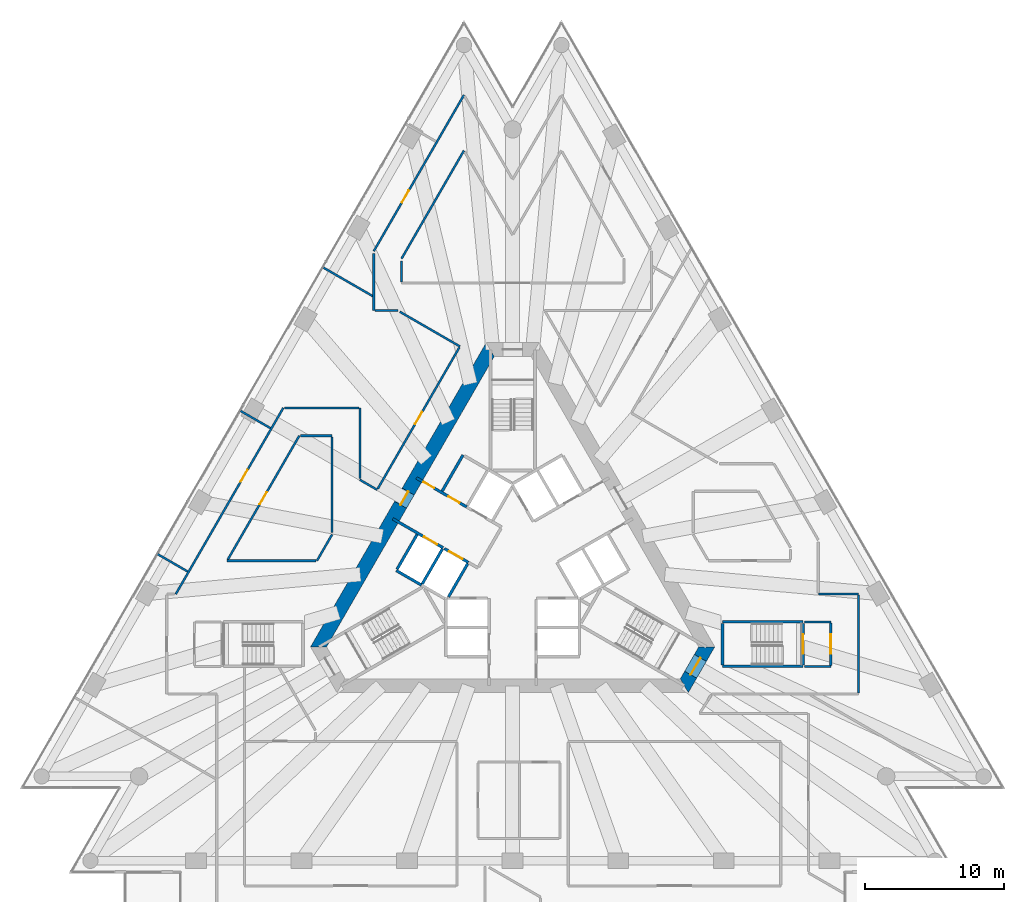
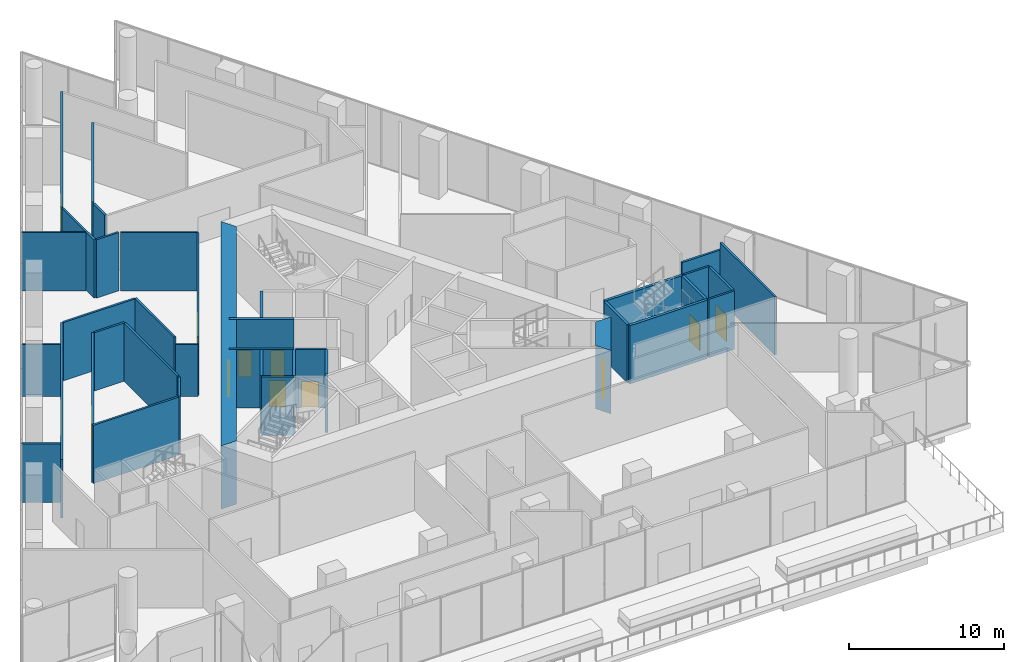
# One storey, part 27 of 32: 38 walls, 12 doors, 12 openings.
"""IFC4 building model written with IfcOpenShell, lengths in metres."""

from ifc_helpers import new_model, si_unit, direction, frame, frame_2d, origin, place, context, subcontext, project, spatial, polyline, rectangle, outline, extrude, material, layer, layer_set, type_object, element, fill, save


model = new_model("IFC4")

# Units and contexts
model_context = context("Model", 3, precision=1e-05, world=origin(), true_north=direction((0.0, 1.0)))
body_context = subcontext(model_context, "Body", "Model", "MODEL_VIEW")
ifc_project = project(units=[si_unit("LENGTHUNIT", "METRE"), si_unit("AREAUNIT", "SQUARE_METRE"), si_unit("VOLUMEUNIT", "CUBIC_METRE"), si_unit("PLANEANGLEUNIT", "RADIAN"), si_unit("MASSUNIT", "GRAM", prefix="KILO")], contexts=[model_context])

# Site, building, storey
site_placement = place(None, origin())
site = spatial("IfcSite", under=ifc_project, at=site_placement, CompositionType="ELEMENT")
building_placement = place(site_placement, origin())
building = spatial("IfcBuilding", under=site, at=building_placement, Name="Triada Interchange Tower", CompositionType="ELEMENT")
storey_placement = place(building_placement, frame((0.0, 0.0, 25.300048828125)))
storey = spatial("IfcBuildingStorey", under=building, at=storey_placement, Name="L04", CompositionType="ELEMENT", Elevation=25.300048828125)

# Walls
ifc_material_1 = material(Name="Concrete C30/37", Category="concrete")
ifc_layer_1 = layer(ifc_material_1, 0.199951171875)
ifc_layer_set_1 = layer_set([ifc_layer_1], Name="CORE WALL 200 EI 120")
wall_type_1 = type_object("IfcWallType", Name="CORE WALL 200 EI 120", PredefinedType="SOLIDWALL", material=ifc_layer_set_1)
wall_1_placement = place(storey_placement, frame((-8.3759765625, -0.70703125, 0.0), z_axis=(0.0, 0.0, 1.0), x_axis=(0.866067520717, -0.499927044236, 0.0)))
element("IfcWall", 1, at=wall_1_placement, inside=storey, type_object=wall_type_1, Name="Wall L04 94", PredefinedType="SOLIDWALL", context=body_context, shape_type="SweptSolid", body=[
    extrude(rectangle(XDim=2.100341796875, YDim=0.199951171875, at=frame_2d((1.05029296875, 0.0))), origin(), (0.0, 0.0, 1.0), 4.599853515625),
])
wall_2_placement = place(storey_placement, frame((-8.325927734375, -0.6201171875, 0.0), z_axis=(0.0, 0.0, 1.0), x_axis=(0.500023687443, 0.866011727401, 0.0)))
element("IfcWall", 2, at=wall_2_placement, inside=storey, type_object=wall_type_1, Name="Wall L04 95", PredefinedType="SOLIDWALL", context=body_context, shape_type="SweptSolid", body=[
    extrude(rectangle(XDim=2.899658203125, YDim=0.199951171875, at=frame_2d((1.44970703125, 0.0))), origin(), (0.0, 0.0, 1.0), 4.599853515625),
])

# Wall, opening, door
ifc_layer_2 = layer(ifc_material_1, 0.199951171875)
ifc_layer_set_2 = layer_set([ifc_layer_2], Name="CORE WALL 200 EI 180")
wall_type_2 = type_object("IfcWallType", Name="CORE WALL 200 EI 180", PredefinedType="SOLIDWALL", material=ifc_layer_set_2)
wall_3_placement = place(storey_placement, frame((-8.626953125, 3.01806640625, 0.0), z_axis=(0.0, 0.0, 1.0), x_axis=(0.866039775641, -0.499975106388, 0.0)))
wall_3 = element("IfcWall", 3, at=wall_3_placement, inside=storey, type_object=wall_type_2, Name="Wall L04 116", PredefinedType="SOLIDWALL", context=body_context, shape_type="SweptSolid", body=[
    extrude(rectangle(XDim=4.182373046875, YDim=0.199951171875, at=frame_2d((2.09130859375, 0.0))), origin(), (0.0, 0.0, 1.0), 4.599853515625),
])
opening_1_placement = place(wall_3_placement, frame((2.580078125, 0.0, 0.0)))
opening_1 = element("IfcOpeningElement", 4, at=opening_1_placement, cuts=wall_3, Name="Opening LD-SV1", PredefinedType="OPENING", context=body_context, shape_type="SweptSolid", body=[
    extrude(rectangle(XDim=1.10009765625, YDim=2.10009765625, at=frame_2d((0.550048828125, 1.050048828125))), frame((0.0, 0.10986328125, 0.0), z_axis=(0.0, -1.0, 0.0), x_axis=(1.0, 0.0, 0.0)), (0.0, 0.0, 1.0), 0.219970703125),
])
ifc_material_2 = material(Name="Steel S235 door leaf", Category="steel")
door_type_1 = type_object("IfcDoorType", Name="LIFT LANDING DOOR 1100 EI 120", OperationType="SLIDING_TO_LEFT", PredefinedType="DOOR", material=ifc_material_2)
door_1_placement = place(opening_1_placement, origin())
door_1 = element("IfcDoor", 5, at=door_1_placement, inside=storey, type_object=door_type_1, Name="SV1 landing door L04", OperationType="SLIDING_TO_LEFT", OverallHeight=2.10009765625, OverallWidth=1.10009765625, PredefinedType="DOOR", context=body_context, shape_type="SweptSolid", body=[
    extrude(rectangle(XDim=1.10009765625, YDim=2.10009765625, at=frame_2d((0.550048828125, 1.050048828125))), frame((0.0, 0.02490234375, 0.0), z_axis=(0.0, -1.0, 0.0), x_axis=(1.0, 0.0, 0.0)), (0.0, 0.0, 1.0), 0.050048828125),
])
fill(opening_1, door_1)

# Wall, openings, doors
wall_4_placement = place(storey_placement, frame((-6.927001953125, 5.9619140625, 0.0), z_axis=(0.0, 0.0, 1.0), x_axis=(0.866065051207, -0.49993132236, 0.0)))
wall_4 = element("IfcWall", 6, at=wall_4_placement, inside=storey, type_object=wall_type_2, Name="Wall L04 118", PredefinedType="SOLIDWALL", context=body_context, shape_type="SweptSolid", body=[
    extrude(rectangle(XDim=4.18212890625, YDim=0.199951171875, at=frame_2d((2.091064453125, 0.0))), origin(), (0.0, 0.0, 1.0), 4.599853515625),
])
opening_2_placement = place(wall_4_placement, frame((2.679931640625, 0.0, 0.0)))
opening_2 = element("IfcOpeningElement", 7, at=opening_2_placement, cuts=wall_4, Name="Opening D04-10", PredefinedType="OPENING", context=body_context, shape_type="SweptSolid", body=[
    extrude(rectangle(XDim=0.89990234375, YDim=2.10009765625, at=frame_2d((0.449951171875, 1.050048828125))), frame((0.0, 0.10986328125, 0.0), z_axis=(0.0, -1.0, 0.0), x_axis=(1.0, 0.0, 0.0)), (0.0, 0.0, 1.0), 0.219970703125),
])
opening_3_placement = place(wall_4_placement, frame((0.580078125, 0.0, 0.0)))
opening_3 = element("IfcOpeningElement", 8, at=opening_3_placement, cuts=wall_4, Name="Opening D04-39", PredefinedType="OPENING", context=body_context, shape_type="SweptSolid", body=[
    extrude(rectangle(XDim=0.89990234375, YDim=2.10009765625, at=frame_2d((0.449951171875, 1.050048828125))), frame((0.0, 0.10986328125, 0.0), z_axis=(0.0, -1.0, 0.0), x_axis=(1.0, 0.0, 0.0)), (0.0, 0.0, 1.0), 0.219970703125),
])
door_type_2 = type_object("IfcDoorType", Name="SERVICE DOOR 900 EI2 45-C5S200", OperationType="NOTDEFINED", PredefinedType="DOOR", material=ifc_material_2)
door_2_placement = place(opening_3_placement, origin())
door_2 = element("IfcDoor", 9, at=door_2_placement, inside=storey, type_object=door_type_2, Name="Door D04-39 L04", OperationType="SINGLE_SWING_LEFT", OverallHeight=2.10009765625, OverallWidth=0.89990234375, PredefinedType="DOOR", context=body_context, shape_type="SweptSolid", body=[
    extrude(rectangle(XDim=0.89990234375, YDim=2.10009765625, at=frame_2d((0.449951171875, 1.050048828125))), frame((0.0, 0.02490234375, 0.0), z_axis=(0.0, -1.0, 0.0), x_axis=(1.0, 0.0, 0.0)), (0.0, 0.0, 1.0), 0.050048828125),
])
fill(opening_3, door_2)
door_type_3 = type_object("IfcDoorType", Name="SERVICE DOOR 900 EI2 90-C5S200", OperationType="NOTDEFINED", PredefinedType="DOOR", material=ifc_material_2)
door_3_placement = place(opening_2_placement, origin())
door_3 = element("IfcDoor", 10, at=door_3_placement, inside=storey, type_object=door_type_3, Name="Door D04-10 L04", OperationType="SINGLE_SWING_LEFT", OverallHeight=2.10009765625, OverallWidth=0.89990234375, PredefinedType="DOOR", context=body_context, shape_type="SweptSolid", body=[
    extrude(rectangle(XDim=0.89990234375, YDim=2.10009765625, at=frame_2d((0.449951171875, 1.050048828125))), frame((0.0, 0.02490234375, 0.0), z_axis=(0.0, -1.0, 0.0), x_axis=(1.0, 0.0, 0.0)), (0.0, 0.0, 1.0), 0.050048828125),
])
fill(opening_2, door_3)

# Walls
wall_5_placement = place(storey_placement, frame((-5.075927734375, 5.009033203125, 0.0), z_axis=(0.0, 0.0, 1.0), x_axis=(0.50002537861, 0.866010750942, 0.0)))
element("IfcWall", 11, at=wall_5_placement, inside=storey, type_object=wall_type_2, Name="Wall L04 120", PredefinedType="SOLIDWALL", context=body_context, shape_type="SweptSolid", body=[
    extrude(rectangle(XDim=2.999755859375, YDim=0.199951171875, at=frame_2d((1.5, 0.0))), origin(), (0.0, 0.0, 1.0), 4.599853515625),
])
wall_6_placement = place(storey_placement, frame((-6.507080078125, -1.669921875, 0.0), z_axis=(0.0, 0.0, 1.0), x_axis=(0.50012328804, 0.865954211699, 0.0)))
element("IfcWall", 12, at=wall_6_placement, inside=storey, type_object=wall_type_2, Name="Shaft wall FF1 L04 124", PredefinedType="SOLIDWALL", context=body_context, shape_type="SweptSolid", body=[
    extrude(rectangle(XDim=2.899658203125, YDim=0.199951171875, at=frame_2d((1.44970703125, 0.0))), origin(), (0.0, 0.0, 1.0), 4.599853515625),
])

# Wall, opening, door
wall_7_placement = place(storey_placement, frame((-4.919921875, 0.8779296875, 0.0), z_axis=(0.0, 0.0, 1.0), x_axis=(0.866010750942, -0.50002537861, 0.0)))
wall_7 = element("IfcWall", 13, at=wall_7_placement, inside=storey, type_object=wall_type_2, Name="Shaft wall FF1 L04 125", PredefinedType="SOLIDWALL", context=body_context, shape_type="SweptSolid", body=[
    extrude(rectangle(XDim=2.0, YDim=0.199951171875, at=frame_2d((1.0, 0.0))), origin(), (0.0, 0.0, 1.0), 4.599853515625),
])
opening_4_placement = place(wall_7_placement, frame((0.39990234375, 0.0, 0.0)))
opening_4 = element("IfcOpeningElement", 14, at=opening_4_placement, cuts=wall_7, Name="Opening LD-FF1", PredefinedType="OPENING", context=body_context, shape_type="SweptSolid", body=[
    extrude(rectangle(XDim=1.10009765625, YDim=2.10009765625, at=frame_2d((0.550048828125, 1.050048828125))), frame((0.0, 0.10986328125, 0.0), z_axis=(0.0, -1.0, 0.0), x_axis=(1.0, 0.0, 0.0)), (0.0, 0.0, 1.0), 0.219970703125),
])
door_4_placement = place(opening_4_placement, origin())
door_4 = element("IfcDoor", 15, at=door_4_placement, inside=storey, type_object=door_type_1, Name="FF1 landing door L04", OperationType="SLIDING_TO_LEFT", OverallHeight=2.10009765625, OverallWidth=1.10009765625, PredefinedType="DOOR", context=body_context, shape_type="SweptSolid", body=[
    extrude(rectangle(XDim=1.10009765625, YDim=2.10009765625, at=frame_2d((0.550048828125, 1.050048828125))), frame((0.0, 0.02490234375, 0.0), z_axis=(0.0, -1.0, 0.0), x_axis=(1.0, 0.0, 0.0)), (0.0, 0.0, 1.0), 0.050048828125),
])
fill(opening_4, door_4)

# Walls
wall_8_placement = place(storey_placement, frame((-4.618896484375, -2.60009765625, 0.0), z_axis=(0.0, 0.0, 1.0), x_axis=(0.50009492287, 0.865970593103, 0.0)))
element("IfcWall", 16, at=wall_8_placement, inside=storey, type_object=wall_type_2, Name="Shaft wall FF1 L04 126", PredefinedType="SOLIDWALL", context=body_context, shape_type="SweptSolid", body=[
    extrude(rectangle(XDim=2.76123046875, YDim=0.199951171875, at=frame_2d((1.380615234375, 0.0))), origin(), (0.0, 0.0, 1.0), 4.599853515625),
])
ifc_layer_3 = layer(ifc_material_1, 0.199951171875)
ifc_layer_set_3 = layer_set([ifc_layer_3], Name="CORE WALL 200 REI 240")
wall_type_3 = type_object("IfcWallType", Name="CORE WALL 200 REI 240", PredefinedType="SOLIDWALL", material=ifc_layer_set_3)
wall_9_placement = place(storey_placement, frame((15.10009765625, -4.39990234375, 0.0), z_axis=(0.0, 0.0, 1.0), x_axis=(1.0, 0.0, 0.0)))
element("IfcWall", 17, at=wall_9_placement, inside=storey, type_object=wall_type_3, Name="Wall L04 143", PredefinedType="SOLIDWALL", context=body_context, shape_type="SweptSolid", body=[
    extrude(rectangle(XDim=5.7998046875, YDim=0.199951171875, at=frame_2d((2.89990234375, 0.0))), origin(), (0.0, 0.0, 1.0), 4.599853515625),
])
wall_10_placement = place(storey_placement, frame((15.10009765625, -7.60009765625, 0.0), z_axis=(0.0, 0.0, 1.0), x_axis=(1.0, 0.0, 0.0)))
element("IfcWall", 18, at=wall_10_placement, inside=storey, type_object=wall_type_3, Name="Wall L04 146", PredefinedType="SOLIDWALL", context=body_context, shape_type="SweptSolid", body=[
    extrude(rectangle(XDim=5.7978515625, YDim=0.199951171875, at=frame_2d((2.89892578125, 0.0))), origin(), (0.0, 0.0, 1.0), 4.599853515625),
])
wall_11_placement = place(storey_placement, frame((15.10009765625, -7.5, 0.0), z_axis=(0.0, 0.0, 1.0), x_axis=(0.0, 1.0, 0.0)))
element("IfcWall", 19, at=wall_11_placement, inside=storey, type_object=wall_type_3, Name="Wall L04 147", PredefinedType="SOLIDWALL", context=body_context, shape_type="SweptSolid", body=[
    extrude(rectangle(XDim=3.0, YDim=0.199951171875, at=frame_2d((1.5, 0.0))), origin(), (0.0, 0.0, 1.0), 4.599853515625),
])

# Wall, opening, door
wall_12_placement = place(storey_placement, frame((20.89990234375, -7.5, 0.0), z_axis=(0.0, 0.0, 1.0), x_axis=(0.0, 1.0, 0.0)))
wall_12 = element("IfcWall", 20, at=wall_12_placement, inside=storey, type_object=wall_type_3, Name="Wall L04 148", PredefinedType="SOLIDWALL", context=body_context, shape_type="SweptSolid", body=[
    extrude(rectangle(XDim=3.0, YDim=0.199951171875, at=frame_2d((1.5, 0.0))), origin(), (0.0, 0.0, 1.0), 4.599853515625),
])
opening_5_placement = place(wall_12_placement, frame((0.800048828125, 0.0, 0.0)))
opening_5 = element("IfcOpeningElement", 21, at=opening_5_placement, cuts=wall_12, Name="Opening D04-13", PredefinedType="OPENING", context=body_context, shape_type="SweptSolid", body=[
    extrude(rectangle(XDim=1.39990234375, YDim=2.10009765625, at=frame_2d((0.699951171875, 1.050048828125))), frame((0.0, 0.10986328125, 0.0), z_axis=(0.0, -1.0, 0.0), x_axis=(1.0, 0.0, 0.0)), (0.0, 0.0, 1.0), 0.219970703125),
])
door_type_4 = type_object("IfcDoorType", Name="STAIR DOOR 1400 EI2 90-C5S200", OperationType="DOUBLE_DOOR_SINGLE_SWING", PredefinedType="DOOR", material=ifc_material_2)
door_5_placement = place(opening_5_placement, origin())
door_5 = element("IfcDoor", 22, at=door_5_placement, inside=storey, type_object=door_type_4, Name="Door D04-13 L04", OperationType="DOUBLE_DOOR_SINGLE_SWING", OverallHeight=2.10009765625, OverallWidth=1.39990234375, PredefinedType="DOOR", context=body_context, shape_type="SweptSolid", body=[
    extrude(rectangle(XDim=1.39990234375, YDim=2.10009765625, at=frame_2d((0.699951171875, 1.050048828125))), frame((0.0, 0.02490234375, 0.0), z_axis=(0.0, -1.0, 0.0), x_axis=(1.0, 0.0, 0.0)), (0.0, 0.0, 1.0), 0.050048828125),
])
fill(opening_5, door_5)

ifc_material_3 = material(Name="Concrete C70/85", Category="concrete")
ifc_layer_4 = layer(ifc_material_3, 1.0)
ifc_layer_set_4 = layer_set([ifc_layer_4], Name="Core wall P 1000")
wall_type_4 = type_object("IfcWallType", Name="Core wall P 1000", PredefinedType="SHEAR", material=ifc_layer_set_4)
wall_13_placement = place(storey_placement, frame((-1.616943359375, 15.199951171875, -0.400146484375), z_axis=(0.0, 0.0, 1.0), x_axis=(-0.499992141631, -0.866029940768, 0.0)))
wall_13 = element("IfcWall", 23, at=wall_13_placement, inside=storey, type_object=wall_type_4, Name="Core wall WP02 L04", PredefinedType="SHEAR", context=body_context, shape_type="SweptSolid", body=[
    extrude(outline(polyline([(-0.2890625, -0.4990234375), (1.65625, -0.4990234375), (3.601318359375, -0.499267578125), (5.546630859375, -0.499267578125), (7.491943359375, -0.499267578125), (9.43701171875, -0.49951171875), (11.38232421875, -0.49951171875), (13.32763671875, -0.49951171875), (15.27294921875, -0.49951171875), (17.218017578125, -0.499755859375), (19.163330078125, -0.499755859375), (21.108642578125, -0.499755859375), (23.0537109375, -0.5), (24.9990234375, -0.5), (24.422119140625, 0.5), (22.565673828125, 0.5), (20.709228515625, 0.5), (18.85302734375, 0.5), (16.99658203125, 0.5), (15.14013671875, 0.5), (13.28369140625, 0.5), (11.427490234375, 0.5), (9.571044921875, 0.5), (7.714599609375, 0.5), (5.858154296875, 0.5), (4.001953125, 0.5), (2.1455078125, 0.5), (0.2890625, 0.5), (-0.2890625, -0.4990234375)])), origin(), (0.0, 0.0, 1.0), 5.0),
])
opening_6_placement = place(wall_13_placement, frame((11.804931640625, 0.0, 0.39990234375)))
opening_6 = element("IfcOpeningElement", 24, at=opening_6_placement, cuts=wall_13, Name="Opening D04-37", PredefinedType="OPENING", context=body_context, shape_type="SweptSolid", body=[
    extrude(rectangle(XDim=1.10009765625, YDim=2.10009765625, at=frame_2d((0.550048828125, 1.050048828125))), frame((0.0, 0.510009765625, 0.0), z_axis=(0.0, -1.0, 0.0), x_axis=(1.0, 0.0, 0.0)), (0.0, 0.0, 1.0), 1.02001953125),
])
door_type_5 = type_object("IfcDoorType", Name="FIRE LOBBY DOOR 1100 EI2 90-C5S200", OperationType="NOTDEFINED", PredefinedType="DOOR", material=ifc_material_2)
door_6_placement = place(opening_6_placement, origin())
door_6 = element("IfcDoor", 25, at=door_6_placement, inside=storey, type_object=door_type_5, Name="Door D04-37 L04", OperationType="SINGLE_SWING_LEFT", OverallHeight=2.10009765625, OverallWidth=1.10009765625, PredefinedType="DOOR", context=body_context, shape_type="SweptSolid", body=[
    extrude(rectangle(XDim=1.10009765625, YDim=2.10009765625, at=frame_2d((0.550048828125, 1.050048828125))), frame((0.0, 0.02490234375, 0.0), z_axis=(0.0, -1.0, 0.0), x_axis=(1.0, 0.0, 0.0)), (0.0, 0.0, 1.0), 0.050048828125),
])
fill(opening_6, door_6)

wall_14_placement = place(storey_placement, frame((12.35498046875, -9.0, -0.400146484375), z_axis=(0.0, 0.0, 1.0), x_axis=(0.500077567175, 0.865980615723, 0.0)))
wall_14 = element("IfcWall", 26, at=wall_14_placement, inside=storey, type_object=wall_type_4, Name="Core wall WP05 L04", PredefinedType="SHEAR", context=body_context, shape_type="SweptSolid", body=[
    extrude(outline(polyline([(-0.2880859375, -0.5), (1.616943359375, -0.5), (3.52197265625, -0.5), (2.945068359375, 0.5), (1.6171875, 0.49951171875), (0.2890625, 0.4990234375), (-0.2880859375, -0.5)])), origin(), (0.0, 0.0, 1.0), 5.0),
])
opening_7_placement = place(wall_14_placement, frame((0.9169921875, 0.0, 0.39990234375)))
opening_7 = element("IfcOpeningElement", 27, at=opening_7_placement, cuts=wall_14, Name="Opening D04-36", PredefinedType="OPENING", context=body_context, shape_type="SweptSolid", body=[
    extrude(rectangle(XDim=1.39990234375, YDim=2.10009765625, at=frame_2d((0.699951171875, 1.050048828125))), frame((0.0, 0.510009765625, 0.0), z_axis=(0.0, -1.0, 0.0), x_axis=(1.0, 0.0, 0.0)), (0.0, 0.0, 1.0), 1.02001953125),
])
door_7_placement = place(opening_7_placement, origin())
door_7 = element("IfcDoor", 28, at=door_7_placement, inside=storey, type_object=door_type_4, Name="Door D04-36 L04", OperationType="DOUBLE_DOOR_SINGLE_SWING", OverallHeight=2.10009765625, OverallWidth=1.39990234375, PredefinedType="DOOR", context=body_context, shape_type="SweptSolid", body=[
    extrude(rectangle(XDim=1.39990234375, YDim=2.10009765625, at=frame_2d((0.699951171875, 1.050048828125))), frame((0.0, 0.02490234375, 0.0), z_axis=(0.0, -1.0, 0.0), x_axis=(1.0, 0.0, 0.0)), (0.0, 0.0, 1.0), 0.050048828125),
])
fill(opening_7, door_7)

# Walls
ifc_material_4 = material(Name="Gypsum board partition")
ifc_layer_5 = layer(ifc_material_4, 0.14990234375)
ifc_layer_set_5 = layer_set([ifc_layer_5], Name="PARTITION 150")
wall_type_5 = type_object("IfcWallType", Name="PARTITION 150", PredefinedType="PARTITIONING", material=ifc_layer_set_5)
wall_15_placement = place(storey_placement, frame((-25.5830078125, 0.488037109375, 0.0), z_axis=(0.0, 0.0, 1.0), x_axis=(0.866050293573, -0.499956887143, 0.0)))
element("IfcWall", 29, at=wall_15_placement, inside=storey, type_object=wall_type_5, Name="Wall L04 12", PredefinedType="PARTITIONING", context=body_context, shape_type="SweptSolid", body=[
    extrude(rectangle(XDim=2.524169921875, YDim=0.14990234375, at=frame_2d((1.26220703125, 0.0))), origin(), (0.0, 0.0, 1.0), 4.599853515625),
])
wall_16_placement = place(storey_placement, frame((-19.6259765625, 10.806884765625, 0.0), z_axis=(0.0, 0.0, 1.0), x_axis=(0.865979509711, -0.500079482444, 0.0)))
element("IfcWall", 30, at=wall_16_placement, inside=storey, type_object=wall_type_5, Name="Wall L04 26", PredefinedType="PARTITIONING", context=body_context, shape_type="SweptSolid", body=[
    extrude(rectangle(XDim=2.525390625, YDim=0.14990234375, at=frame_2d((1.2626953125, 0.0))), origin(), (0.0, 0.0, 1.0), 4.099853515625),
])
ifc_layer_6 = layer(ifc_material_4, 0.14990234375)
ifc_layer_set_6 = layer_set([ifc_layer_6], Name="PARTITION 150 EI 180")
wall_type_6 = type_object("IfcWallType", Name="PARTITION 150 EI 180", PredefinedType="PARTITIONING", material=ifc_layer_set_6)
for number, where, z_axis, x_axis, name in (
    (31, (21.0, -7.60009765625, 0.0), (0.0, 0.0, 1.0), (1.0, 0.0, 0.0), "Wall L04 2"),
    (32, (21.0, -4.39990234375, 0.0), (0.0, 0.0, 1.0), (1.0, 0.0, 0.0), "Wall L04 5"),
):
    element("IfcWall", number, at=place(storey_placement, frame(where, z_axis=z_axis, x_axis=x_axis)), inside=storey, type_object=wall_type_6, Name=name, PredefinedType="PARTITIONING", context=body_context, shape_type="SweptSolid", body=[
        extrude(rectangle(XDim=1.89990234375, YDim=0.14990234375, at=frame_2d((0.949951171875, 0.0))), origin(), (0.0, 0.0, 1.0), 4.599853515625),
    ])

# Wall, opening, door
wall_17_placement = place(storey_placement, frame((22.89990234375, -7.52490234375, 0.0), z_axis=(0.0, 0.0, 1.0), x_axis=(0.0, 1.0, 0.0)))
wall_17 = element("IfcWall", 33, at=wall_17_placement, inside=storey, type_object=wall_type_6, Name="Wall L04 10", PredefinedType="PARTITIONING", context=body_context, shape_type="SweptSolid", body=[
    extrude(rectangle(XDim=3.0498046875, YDim=0.14990234375, at=frame_2d((1.52490234375, 0.0))), origin(), (0.0, 0.0, 1.0), 4.599853515625),
])
opening_8_placement = place(wall_17_placement, frame((0.824951171875, 0.0, 0.0)))
opening_8 = element("IfcOpeningElement", 34, at=opening_8_placement, cuts=wall_17, Name="Opening D04-14", PredefinedType="OPENING", context=body_context, shape_type="SweptSolid", body=[
    extrude(rectangle(XDim=1.39990234375, YDim=2.10009765625, at=frame_2d((0.699951171875, 1.050048828125))), frame((0.0, 0.0849609375, 0.0), z_axis=(0.0, -1.0, 0.0), x_axis=(1.0, 0.0, 0.0)), (0.0, 0.0, 1.0), 0.169921875),
])
door_8_placement = place(opening_8_placement, origin())
door_8 = element("IfcDoor", 35, at=door_8_placement, inside=storey, type_object=door_type_4, Name="Door D04-14 L04", OperationType="DOUBLE_DOOR_SINGLE_SWING", OverallHeight=2.10009765625, OverallWidth=1.39990234375, PredefinedType="DOOR", context=body_context, shape_type="SweptSolid", body=[
    extrude(rectangle(XDim=1.39990234375, YDim=2.10009765625, at=frame_2d((0.699951171875, 1.050048828125))), frame((0.0, 0.02490234375, 0.0), z_axis=(0.0, -1.0, 0.0), x_axis=(1.0, 0.0, 0.0)), (0.0, 0.0, 1.0), 0.050048828125),
])
fill(opening_8, door_8)

ifc_layer_7 = layer(ifc_material_4, 0.14990234375)
ifc_layer_set_7 = layer_set([ifc_layer_7], Name="PARTITION 150 EI 90")
wall_type_7 = type_object("IfcWallType", Name="PARTITION 150 EI 90", PredefinedType="PARTITIONING", material=ifc_layer_set_7)
wall_18_placement = place(storey_placement, frame((-24.2490234375, -2.39990234375, 0.0), z_axis=(0.0, 0.0, 1.0), x_axis=(0.500030212684, 0.86600795978, 0.0)))
wall_18 = element("IfcWall", 36, at=wall_18_placement, inside=storey, type_object=wall_type_7, Name="Wall L04 13", PredefinedType="PARTITIONING", context=body_context, shape_type="SweptSolid", body=[
    extrude(rectangle(XDim=15.47314453125, YDim=0.14990234375, at=frame_2d((7.736572265625, 0.0))), origin(), (0.0, 0.0, 1.0), 4.599853515625),
])
opening_9_placement = place(wall_18_placement, frame((9.333984375, 0.0, 0.0)))
opening_9 = element("IfcOpeningElement", 37, at=opening_9_placement, cuts=wall_18, Name="Opening D04-25", PredefinedType="OPENING", context=body_context, shape_type="SweptSolid", body=[
    extrude(rectangle(XDim=1.0, YDim=2.10009765625, at=frame_2d((0.5, 1.050048828125))), frame((0.0, 0.0849609375, 0.0), z_axis=(0.0, -1.0, 0.0), x_axis=(1.0, 0.0, 0.0)), (0.0, 0.0, 1.0), 0.169921875),
])
door_type_6 = type_object("IfcDoorType", Name="ROOM DOOR 1000 EI2 45-C5S200", OperationType="NOTDEFINED", PredefinedType="DOOR", material=ifc_material_2)
door_9_placement = place(opening_9_placement, origin())
door_9 = element("IfcDoor", 38, at=door_9_placement, inside=storey, type_object=door_type_6, Name="Door D04-25 L04", OperationType="SINGLE_SWING_LEFT", OverallHeight=2.10009765625, OverallWidth=1.0, PredefinedType="DOOR", context=body_context, shape_type="SweptSolid", body=[
    extrude(rectangle(XDim=1.0, YDim=2.10009765625, at=frame_2d((0.5, 1.050048828125))), frame((0.0, 0.02490234375, 0.0), z_axis=(0.0, -1.0, 0.0), x_axis=(1.0, 0.0, 0.0)), (0.0, 0.0, 1.0), 0.050048828125),
])
fill(opening_9, door_9)

wall_19_placement = place(storey_placement, frame((-10.0, 22.279052734375, 0.0), z_axis=(0.0, 0.0, 1.0), x_axis=(0.50000725545, 0.866021214808, 0.0)))
wall_19 = element("IfcWall", 39, at=wall_19_placement, inside=storey, type_object=wall_type_7, Name="Wall L04 14", PredefinedType="PARTITIONING", context=body_context, shape_type="SweptSolid", body=[
    extrude(rectangle(XDim=12.985595703125, YDim=0.14990234375, at=frame_2d((6.49267578125, 0.0))), origin(), (0.0, 0.0, 1.0), 4.599853515625),
])
opening_10_placement = place(wall_19_placement, frame((4.041015625, 0.0, 0.0)))
opening_10 = element("IfcOpeningElement", 40, at=opening_10_placement, cuts=wall_19, Name="Opening D04-28", PredefinedType="OPENING", context=body_context, shape_type="SweptSolid", body=[
    extrude(rectangle(XDim=1.0, YDim=2.10009765625, at=frame_2d((0.5, 1.050048828125))), frame((0.0, 0.0849609375, 0.0), z_axis=(0.0, -1.0, 0.0), x_axis=(1.0, 0.0, 0.0)), (0.0, 0.0, 1.0), 0.169921875),
])
door_type_7 = type_object("IfcDoorType", Name="ROOM DOOR 1000 EI2 90-C5S200", OperationType="NOTDEFINED", PredefinedType="DOOR", material=ifc_material_2)
door_10_placement = place(opening_10_placement, origin())
door_10 = element("IfcDoor", 41, at=door_10_placement, inside=storey, type_object=door_type_7, Name="Door D04-28 L04", OperationType="SINGLE_SWING_LEFT", OverallHeight=2.10009765625, OverallWidth=1.0, PredefinedType="DOOR", context=body_context, shape_type="SweptSolid", body=[
    extrude(rectangle(XDim=1.0, YDim=2.10009765625, at=frame_2d((0.5, 1.050048828125))), frame((0.0, 0.02490234375, 0.0), z_axis=(0.0, -1.0, 0.0), x_axis=(1.0, 0.0, 0.0)), (0.0, 0.0, 1.0), 0.050048828125),
])
fill(opening_10, door_10)

# Walls
wall_20_placement = place(storey_placement, frame((22.0, -2.39990234375, 0.0), z_axis=(0.0, 0.0, 1.0), x_axis=(1.0, 0.0, 0.0)))
element("IfcWall", 42, at=wall_20_placement, inside=storey, type_object=wall_type_7, Name="Wall L04 16", PredefinedType="PARTITIONING", context=body_context, shape_type="SweptSolid", body=[
    extrude(rectangle(XDim=2.89990234375, YDim=0.14990234375, at=frame_2d((1.449951171875, 0.0))), origin(), (0.0, 0.0, 1.0), 4.0),
])
wall_21_placement = place(storey_placement, frame((-11.0, 5.825927734375, 0.0), z_axis=(0.0, 0.0, 1.0), x_axis=(0.866326729571, -0.49947772486, 0.0)))
element("IfcWall", 43, at=wall_21_placement, inside=storey, type_object=wall_type_7, Name="Wall L04 27", PredefinedType="PARTITIONING", context=body_context, shape_type="SweptSolid", body=[
    extrude(rectangle(XDim=1.439453125, YDim=0.14990234375, at=frame_2d((0.7197265625, 0.0))), origin(), (0.0, 0.0, 1.0), 4.099853515625),
])
wall_22_placement = place(storey_placement, frame((-10.0, 18.0, 0.0), z_axis=(0.0, 0.0, 1.0), x_axis=(0.0, 1.0, 0.0)))
element("IfcWall", 44, at=wall_22_placement, inside=storey, type_object=wall_type_7, Name="Wall L04 34", PredefinedType="PARTITIONING", context=body_context, shape_type="SweptSolid", body=[
    extrude(rectangle(XDim=4.12890625, YDim=0.14990234375, at=frame_2d((2.064453125, 0.0))), origin(), (0.0, 0.0, 1.0), 4.599853515625),
])
wall_23_placement = place(storey_placement, frame((-9.925048828125, 18.0, 0.0), z_axis=(0.0, 0.0, 1.0), x_axis=(1.0, 0.0, 0.0)))
element("IfcWall", 45, at=wall_23_placement, inside=storey, type_object=wall_type_7, Name="Wall L04 35", PredefinedType="PARTITIONING", context=body_context, shape_type="SweptSolid", body=[
    extrude(rectangle(XDim=1.6689453125, YDim=0.14990234375, at=frame_2d((0.83447265625, 0.0))), origin(), (0.0, 0.0, 1.0), 4.599853515625),
])
wall_24_placement = place(storey_placement, frame((-13.66796875, 21.125, 0.0), z_axis=(0.0, 0.0, 1.0), x_axis=(0.865970972971, -0.500094265086, 0.0)))
element("IfcWall", 46, at=wall_24_placement, inside=storey, type_object=wall_type_7, Name="Wall L04 37", PredefinedType="PARTITIONING", context=body_context, shape_type="SweptSolid", body=[
    extrude(rectangle(XDim=4.149169921875, YDim=0.14990234375, at=frame_2d((2.07470703125, 0.0))), origin(), (0.0, 0.0, 1.0), 4.599853515625),
])
wall_25_placement = place(storey_placement, frame((-8.1259765625, 17.925048828125, 0.0), z_axis=(0.0, 0.0, 1.0), x_axis=(0.866022959057, -0.500004234368, 0.0)))
element("IfcWall", 47, at=wall_25_placement, inside=storey, type_object=wall_type_7, Name="Wall L04 38", PredefinedType="PARTITIONING", context=body_context, shape_type="SweptSolid", body=[
    extrude(rectangle(XDim=5.0, YDim=0.14990234375, at=frame_2d((2.5, 0.0))), origin(), (0.0, 0.0, 1.0), 4.599853515625),
])

# Wall, opening, door
wall_26_placement = place(storey_placement, frame((-9.716064453125, 5.172119140625, 0.0), z_axis=(0.0, 0.0, 1.0), x_axis=(0.500064951837, 0.865987900576, 0.0)))
wall_26 = element("IfcWall", 48, at=wall_26_placement, inside=storey, type_object=wall_type_7, Name="Wall L04 39", PredefinedType="PARTITIONING", context=body_context, shape_type="SweptSolid", body=[
    extrude(rectangle(XDim=11.7646484375, YDim=0.14990234375, at=frame_2d((5.88232421875, 0.0))), origin(), (0.0, 0.0, 1.0), 4.599853515625),
])
opening_11_placement = place(wall_26_placement, frame((5.382080078125, 0.0, 0.0)))
opening_11 = element("IfcOpeningElement", 49, at=opening_11_placement, cuts=wall_26, Name="Opening D04-26", PredefinedType="OPENING", context=body_context, shape_type="SweptSolid", body=[
    extrude(rectangle(XDim=1.0, YDim=2.10009765625, at=frame_2d((0.5, 1.050048828125))), frame((0.0, 0.0849609375, 0.0), z_axis=(0.0, -1.0, 0.0), x_axis=(1.0, 0.0, 0.0)), (0.0, 0.0, 1.0), 0.169921875),
])
door_11_placement = place(opening_11_placement, origin())
door_11 = element("IfcDoor", 50, at=door_11_placement, inside=storey, type_object=door_type_7, Name="Door D04-26 L04", OperationType="SINGLE_SWING_RIGHT", OverallHeight=2.10009765625, OverallWidth=1.0, PredefinedType="DOOR", context=body_context, shape_type="SweptSolid", body=[
    extrude(rectangle(XDim=1.0, YDim=2.10009765625, at=frame_2d((0.5, 1.050048828125))), frame((0.0, 0.02490234375, 0.0), z_axis=(0.0, -1.0, 0.0), x_axis=(1.0, 0.0, 0.0)), (0.0, 0.0, 1.0), 0.050048828125),
])
fill(opening_11, door_11)

# Walls
wall_27_placement = place(storey_placement, frame((-11.0, 5.9130859375, 0.0), z_axis=(0.0, 0.0, 1.0), x_axis=(0.0, 1.0, 0.0)))
element("IfcWall", 51, at=wall_27_placement, inside=storey, type_object=wall_type_7, Name="Wall L04 40", PredefinedType="PARTITIONING", context=body_context, shape_type="SweptSolid", body=[
    extrude(rectangle(XDim=5.0869140625, YDim=0.14990234375, at=frame_2d((2.54345703125, 0.0))), origin(), (0.0, 0.0, 1.0), 4.599853515625),
])
wall_28_placement = place(storey_placement, frame((-16.426025390625, 11.0, 0.0), z_axis=(0.0, 0.0, 1.0), x_axis=(1.0, 0.0, 0.0)))
element("IfcWall", 52, at=wall_28_placement, inside=storey, type_object=wall_type_7, Name="Wall L04 41", PredefinedType="PARTITIONING", context=body_context, shape_type="SweptSolid", body=[
    extrude(rectangle(XDim=5.35107421875, YDim=0.14990234375, at=frame_2d((2.675537109375, 0.0))), origin(), (0.0, 0.0, 1.0), 4.599853515625),
])
wall_29_placement = place(storey_placement, frame((24.89990234375, -9.52490234375, 0.0), z_axis=(0.0, 0.0, 1.0), x_axis=(0.0, 1.0, 0.0)))
element("IfcWall", 53, at=wall_29_placement, inside=storey, type_object=wall_type_7, Name="Wall L04 62", PredefinedType="PARTITIONING", context=body_context, shape_type="SweptSolid", body=[
    extrude(rectangle(XDim=7.0498046875, YDim=0.14990234375, at=frame_2d((3.52490234375, 0.0))), origin(), (0.0, 0.0, 1.0), 4.599853515625),
])
wall_30_placement = place(storey_placement, frame((-14.0869140625, 0.0, 0.0), z_axis=(0.0, 0.0, 1.0), x_axis=(0.499907138174, 0.866079010947, 0.0)))
element("IfcWall", 54, at=wall_30_placement, inside=storey, type_object=wall_type_7, Name="Wall L04 74", PredefinedType="PARTITIONING", context=body_context, shape_type="SweptSolid", body=[
    extrude(rectangle(XDim=2.17431640625, YDim=0.14990234375, at=frame_2d((1.087158203125, 0.0))), origin(), (0.0, 0.0, 1.0), 4.599853515625),
])
wall_31_placement = place(storey_placement, frame((-20.553955078125, 0.0, 0.0), z_axis=(0.0, 0.0, 1.0), x_axis=(1.0, 0.0, 0.0)))
element("IfcWall", 55, at=wall_31_placement, inside=storey, type_object=wall_type_7, Name="Wall L04 75", PredefinedType="PARTITIONING", context=body_context, shape_type="SweptSolid", body=[
    extrude(rectangle(XDim=6.3798828125, YDim=0.14990234375, at=frame_2d((3.18994140625, 0.0))), origin(), (0.0, 0.0, 1.0), 4.599853515625),
])

# Wall, opening, door
wall_32_placement = place(storey_placement, frame((-20.510009765625, 0.074951171875, 0.0), z_axis=(0.0, 0.0, 1.0), x_axis=(0.500014323953, 0.866017133688, 0.0)))
wall_32 = element("IfcWall", 56, at=wall_32_placement, inside=storey, type_object=wall_type_7, Name="Wall L04 77", PredefinedType="PARTITIONING", context=body_context, shape_type="SweptSolid", body=[
    extrude(rectangle(XDim=10.305908203125, YDim=0.14990234375, at=frame_2d((5.15283203125, 0.0))), origin(), (0.0, 0.0, 1.0), 4.599853515625),
])
opening_12_placement = place(wall_32_placement, frame((4.60888671875, 0.0, 0.0)))
opening_12 = element("IfcOpeningElement", 57, at=opening_12_placement, cuts=wall_32, Name="Opening D04-20", PredefinedType="OPENING", context=body_context, shape_type="SweptSolid", body=[
    extrude(rectangle(XDim=1.0, YDim=2.10009765625, at=frame_2d((0.5, 1.050048828125))), frame((0.0, 0.0849609375, 0.0), z_axis=(0.0, -1.0, 0.0), x_axis=(1.0, 0.0, 0.0)), (0.0, 0.0, 1.0), 0.169921875),
])
door_12_placement = place(opening_12_placement, origin())
door_12 = element("IfcDoor", 58, at=door_12_placement, inside=storey, type_object=door_type_7, Name="Door D04-20 L04", OperationType="SINGLE_SWING_LEFT", OverallHeight=2.10009765625, OverallWidth=1.0, PredefinedType="DOOR", context=body_context, shape_type="SweptSolid", body=[
    extrude(rectangle(XDim=1.0, YDim=2.10009765625, at=frame_2d((0.5, 1.050048828125))), frame((0.0, 0.02490234375, 0.0), z_axis=(0.0, -1.0, 0.0), x_axis=(1.0, 0.0, 0.0)), (0.0, 0.0, 1.0), 0.050048828125),
])
fill(opening_12, door_12)

# Walls
wall_33_placement = place(storey_placement, frame((-8.0, 21.742919921875, 0.0), z_axis=(0.0, 0.0, 1.0), x_axis=(0.499999188372, 0.866025872377, 0.0)))
element("IfcWall", 59, at=wall_33_placement, inside=storey, type_object=wall_type_7, Name="Wall L04 78", PredefinedType="PARTITIONING", context=body_context, shape_type="SweptSolid", body=[
    extrude(rectangle(XDim=8.98583984375, YDim=0.14990234375, at=frame_2d((4.492919921875, 0.0))), origin(), (0.0, 0.0, 1.0), 4.599853515625),
])
wall_34_placement = place(storey_placement, frame((-15.27099609375, 9.0, 0.0), z_axis=(0.0, 0.0, 1.0), x_axis=(1.0, 0.0, 0.0)))
element("IfcWall", 60, at=wall_34_placement, inside=storey, type_object=wall_type_7, Name="Wall L04 79", PredefinedType="PARTITIONING", context=body_context, shape_type="SweptSolid", body=[
    extrude(rectangle(XDim=2.27099609375, YDim=0.14990234375, at=frame_2d((1.135498046875, 0.0))), origin(), (0.0, 0.0, 1.0), 4.599853515625),
])
wall_35_placement = place(storey_placement, frame((-13.0, 2.032958984375, 0.0), z_axis=(0.0, 0.0, 1.0), x_axis=(0.0, 1.0, 0.0)))
element("IfcWall", 61, at=wall_35_placement, inside=storey, type_object=wall_type_7, Name="Wall L04 80", PredefinedType="PARTITIONING", context=body_context, shape_type="SweptSolid", body=[
    extrude(rectangle(XDim=6.89208984375, YDim=0.14990234375, at=frame_2d((3.446044921875, 0.0))), origin(), (0.0, 0.0, 1.0), 4.599853515625),
])
wall_36_placement = place(storey_placement, frame((-8.0, 20.074951171875, 0.0), z_axis=(0.0, 0.0, 1.0), x_axis=(0.0, 1.0, 0.0)))
element("IfcWall", 62, at=wall_36_placement, inside=storey, type_object=wall_type_7, Name="Wall L04 83", PredefinedType="PARTITIONING", context=body_context, shape_type="SweptSolid", body=[
    extrude(rectangle(XDim=1.51806640625, YDim=0.14990234375, at=frame_2d((0.759033203125, 0.0))), origin(), (0.0, 0.0, 1.0), 4.599853515625),
])

save(model, "model.ifc")
